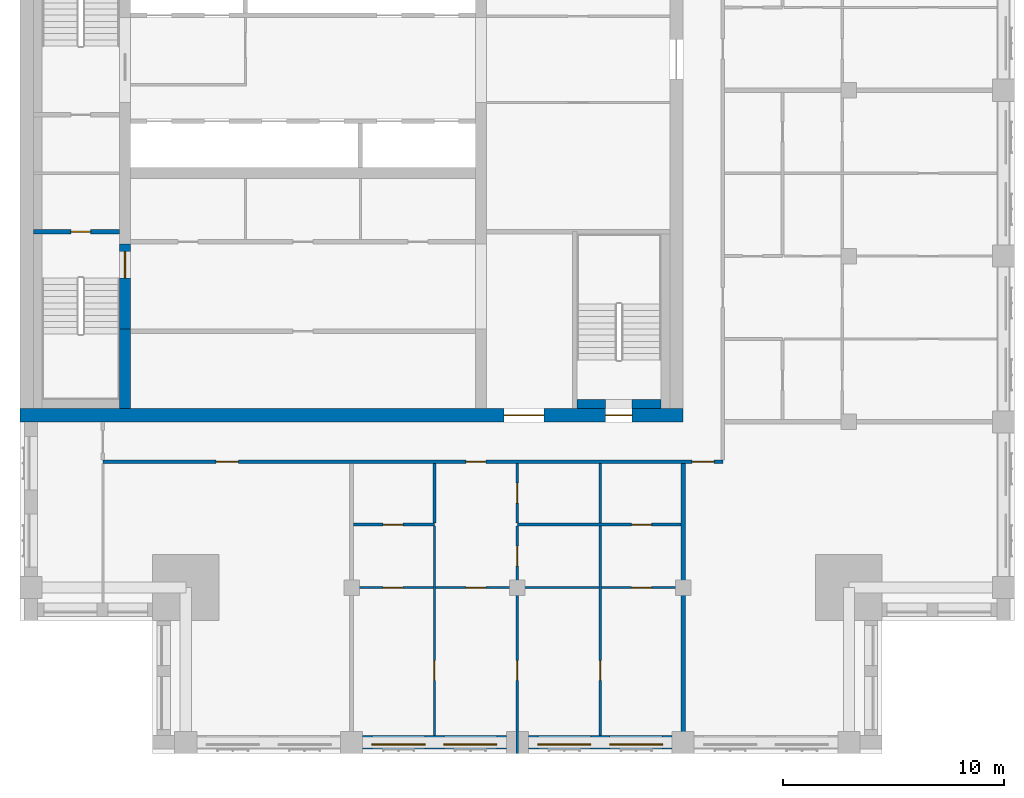
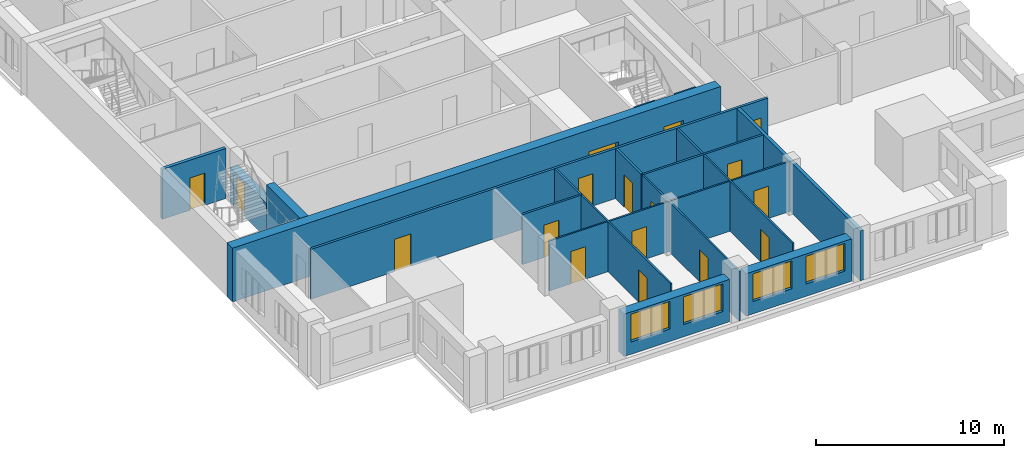
# One storey, part 3 of 10: 19 walls, 17 doors, 4 windows, 21 openings.
"""IFC4 building model written with IfcOpenShell, lengths in metres."""

from ifc_helpers import new_model, si_unit, direction, frame, frame_2d, origin, place, context, subcontext, project, spatial, rectangle, extrude, material, layer, layer_set, type_object, element, fill, save


model = new_model("IFC4")

# Units and contexts
model_context = context("Model", 3, precision=1e-05, world=origin(), true_north=direction((0.0, 1.0)))
body_context = subcontext(model_context, "Body", "Model", "MODEL_VIEW")
ifc_project = project(units=[si_unit("LENGTHUNIT", "METRE"), si_unit("AREAUNIT", "SQUARE_METRE"), si_unit("VOLUMEUNIT", "CUBIC_METRE"), si_unit("PLANEANGLEUNIT", "RADIAN"), si_unit("MASSUNIT", "GRAM", prefix="KILO")], contexts=[model_context])

# Site, building, storey
site_placement = place(None, origin())
site = spatial("IfcSite", under=ifc_project, at=site_placement, CompositionType="ELEMENT")
building_placement = place(site_placement, origin())
building = spatial("IfcBuilding", under=site, at=building_placement, Name="Tamorin Gate", CompositionType="ELEMENT")
storey_placement = place(building_placement, frame((0.0, 0.0, 273.199951171875)))
storey = spatial("IfcBuildingStorey", under=building, at=storey_placement, Name="L68", CompositionType="ELEMENT", Elevation=273.199951171875)

# Wall, openings, windows
ifc_material_1 = material(Name="Precast concrete C40/50", Category="concrete")
ifc_layer_1 = layer(ifc_material_1, 0.60009765625)
ifc_layer_set_1 = layer_set([ifc_layer_1], Name="Precast concrete C40/50")
wall_type_1 = type_object("IfcWallType", Name="Board-marked concrete facade panel 600", PredefinedType="SOLIDWALL", material=ifc_layer_set_1)
wall_1_placement = place(storey_placement, frame((45.5, 45.5, 0.0), z_axis=(0.0, 0.0, 1.0), x_axis=(1.0, 0.0, 0.0)))
wall_1 = element("IfcWall", 1, at=wall_1_placement, inside=storey, type_object=wall_type_1, Name="Facade panel", PredefinedType="SOLIDWALL", context=body_context, shape_type="SweptSolid", body=[
    extrude(rectangle(XDim=6.5, YDim=0.60009765625, at=frame_2d((3.25, 0.0))), origin(), (0.0, 0.0, 1.0), 2.75),
])
opening_1_placement = place(wall_1_placement, frame((0.425048828125, 0.0, 0.800048828125)))
opening_1 = element("IfcOpeningElement", 2, at=opening_1_placement, cuts=wall_1, Name="Opening WN1", PredefinedType="OPENING", context=body_context, shape_type="SweptSolid", body=[
    extrude(rectangle(XDim=2.39990234375, YDim=1.800048828125, at=frame_2d((1.199951171875, 0.89990234375))), frame((0.0, 0.31005859375, 0.0), z_axis=(0.0, -1.0, 0.0), x_axis=(1.0, 0.0, 0.0)), (0.0, 0.0, 1.0), 0.6201171875),
])
opening_2_placement = place(wall_1_placement, frame((3.675048828125, 0.0, 0.800048828125)))
opening_2 = element("IfcOpeningElement", 3, at=opening_2_placement, cuts=wall_1, Name="Opening WN1", PredefinedType="OPENING", context=body_context, shape_type="SweptSolid", body=[
    extrude(rectangle(XDim=2.39990234375, YDim=1.800048828125, at=frame_2d((1.199951171875, 0.89990234375))), frame((0.0, 0.31005859375, 0.0), z_axis=(0.0, -1.0, 0.0), x_axis=(1.0, 0.0, 0.0)), (0.0, 0.0, 1.0), 0.6201171875),
])
ifc_material_2 = material(Name="Clear glass in aluminium frame", Category="aluminium")
window_type = type_object("IfcWindowType", Name="Deep-set window 2400x1800", PartitioningType="SINGLE_PANEL", PredefinedType="WINDOW", material=ifc_material_2)
window_1_placement = place(opening_1_placement, origin())
window_1 = element("IfcWindow", 4, at=window_1_placement, inside=storey, type_object=window_type, Name="Deep-set window", OverallHeight=1.800048828125, OverallWidth=2.39990234375, PartitioningType="SINGLE_PANEL", PredefinedType="WINDOW", context=body_context, shape_type="SweptSolid", body=[
    extrude(rectangle(XDim=2.39990234375, YDim=1.800048828125, at=frame_2d((1.199951171875, 0.89990234375))), frame((0.0, -0.070068359375, 0.0), z_axis=(0.0, -1.0, 0.0), x_axis=(1.0, 0.0, 0.0)), (0.0, 0.0, 1.0), 0.06005859375),
])
fill(opening_1, window_1)
window_2_placement = place(opening_2_placement, origin())
window_2 = element("IfcWindow", 5, at=window_2_placement, inside=storey, type_object=window_type, Name="Deep-set window", OverallHeight=1.800048828125, OverallWidth=2.39990234375, PartitioningType="SINGLE_PANEL", PredefinedType="WINDOW", context=body_context, shape_type="SweptSolid", body=[
    extrude(rectangle(XDim=2.39990234375, YDim=1.800048828125, at=frame_2d((1.199951171875, 0.89990234375))), frame((0.0, -0.070068359375, 0.0), z_axis=(0.0, -1.0, 0.0), x_axis=(1.0, 0.0, 0.0)), (0.0, 0.0, 1.0), 0.06005859375),
])
fill(opening_2, window_2)

wall_2_placement = place(storey_placement, frame((53.0, 45.5, 0.0), z_axis=(0.0, 0.0, 1.0), x_axis=(1.0, 0.0, 0.0)))
wall_2 = element("IfcWall", 6, at=wall_2_placement, inside=storey, type_object=wall_type_1, Name="Facade panel", PredefinedType="SOLIDWALL", context=body_context, shape_type="SweptSolid", body=[
    extrude(rectangle(XDim=6.5, YDim=0.60009765625, at=frame_2d((3.25, 0.0))), origin(), (0.0, 0.0, 1.0), 2.75),
])
opening_3_placement = place(wall_2_placement, frame((0.425048828125, 0.0, 0.800048828125)))
opening_3 = element("IfcOpeningElement", 7, at=opening_3_placement, cuts=wall_2, Name="Opening WN1", PredefinedType="OPENING", context=body_context, shape_type="SweptSolid", body=[
    extrude(rectangle(XDim=2.39990234375, YDim=1.800048828125, at=frame_2d((1.199951171875, 0.89990234375))), frame((0.0, 0.31005859375, 0.0), z_axis=(0.0, -1.0, 0.0), x_axis=(1.0, 0.0, 0.0)), (0.0, 0.0, 1.0), 0.6201171875),
])
opening_4_placement = place(wall_2_placement, frame((3.675048828125, 0.0, 0.800048828125)))
opening_4 = element("IfcOpeningElement", 8, at=opening_4_placement, cuts=wall_2, Name="Opening WN1", PredefinedType="OPENING", context=body_context, shape_type="SweptSolid", body=[
    extrude(rectangle(XDim=2.39990234375, YDim=1.800048828125, at=frame_2d((1.199951171875, 0.89990234375))), frame((0.0, 0.31005859375, 0.0), z_axis=(0.0, -1.0, 0.0), x_axis=(1.0, 0.0, 0.0)), (0.0, 0.0, 1.0), 0.6201171875),
])
window_3_placement = place(opening_3_placement, origin())
window_3 = element("IfcWindow", 9, at=window_3_placement, inside=storey, type_object=window_type, Name="Deep-set window", OverallHeight=1.800048828125, OverallWidth=2.39990234375, PartitioningType="SINGLE_PANEL", PredefinedType="WINDOW", context=body_context, shape_type="SweptSolid", body=[
    extrude(rectangle(XDim=2.39990234375, YDim=1.800048828125, at=frame_2d((1.199951171875, 0.89990234375))), frame((0.0, -0.070068359375, 0.0), z_axis=(0.0, -1.0, 0.0), x_axis=(1.0, 0.0, 0.0)), (0.0, 0.0, 1.0), 0.06005859375),
])
fill(opening_3, window_3)
window_4_placement = place(opening_4_placement, origin())
window_4 = element("IfcWindow", 10, at=window_4_placement, inside=storey, type_object=window_type, Name="Deep-set window", OverallHeight=1.800048828125, OverallWidth=2.39990234375, PartitioningType="SINGLE_PANEL", PredefinedType="WINDOW", context=body_context, shape_type="SweptSolid", body=[
    extrude(rectangle(XDim=2.39990234375, YDim=1.800048828125, at=frame_2d((1.199951171875, 0.89990234375))), frame((0.0, -0.070068359375, 0.0), z_axis=(0.0, -1.0, 0.0), x_axis=(1.0, 0.0, 0.0)), (0.0, 0.0, 1.0), 0.06005859375),
])
fill(opening_4, window_4)

# Wall, openings, doors
ifc_material_3 = material(Name="Gypsum board partition")
ifc_layer_2 = layer(ifc_material_3, 0.14990234375)
ifc_layer_set_2 = layer_set([ifc_layer_2], Name="Corridor wall 150")
wall_type_2 = type_object("IfcWallType", Name="Corridor wall 150", PredefinedType="PARTITIONING", material=ifc_layer_set_2)
wall_3_placement = place(storey_placement, frame((33.75, 58.199951171875, 0.0), z_axis=(0.0, 0.0, 1.0), x_axis=(1.0, 0.0, 0.0)))
wall_3 = element("IfcWall", 11, at=wall_3_placement, inside=storey, type_object=wall_type_2, Name="Corridor wall 150", PredefinedType="PARTITIONING", context=body_context, shape_type="SweptSolid", body=[
    extrude(rectangle(XDim=28.050048828125, YDim=0.14990234375, at=frame_2d((14.02490234375, 0.0))), origin(), (0.0, 0.0, 1.0), 3.25),
])
opening_5_placement = place(wall_3_placement, frame((5.125, 0.0, 0.0)))
opening_5 = element("IfcOpeningElement", 12, at=opening_5_placement, cuts=wall_3, Name="Opening DR10002", PredefinedType="OPENING", context=body_context, shape_type="SweptSolid", body=[
    extrude(rectangle(XDim=1.0, YDim=2.10009765625, at=frame_2d((0.5, 1.050048828125))), frame((0.0, 0.0849609375, 0.0), z_axis=(0.0, -1.0, 0.0), x_axis=(1.0, 0.0, 0.0)), (0.0, 0.0, 1.0), 0.169921875),
])
opening_6_placement = place(wall_3_placement, frame((16.425048828125, 0.0, 0.0)))
opening_6 = element("IfcOpeningElement", 13, at=opening_6_placement, cuts=wall_3, Name="Opening DR10005", PredefinedType="OPENING", context=body_context, shape_type="SweptSolid", body=[
    extrude(rectangle(XDim=0.89990234375, YDim=2.10009765625, at=frame_2d((0.449951171875, 1.050048828125))), frame((0.0, 0.0849609375, 0.0), z_axis=(0.0, -1.0, 0.0), x_axis=(1.0, 0.0, 0.0)), (0.0, 0.0, 1.0), 0.169921875),
])
opening_7_placement = place(wall_3_placement, frame((26.64990234375, 0.0, 0.0)))
opening_7 = element("IfcOpeningElement", 14, at=opening_7_placement, cuts=wall_3, Name="Opening DR10014", PredefinedType="OPENING", context=body_context, shape_type="SweptSolid", body=[
    extrude(rectangle(XDim=1.0, YDim=2.10009765625, at=frame_2d((0.5, 1.050048828125))), frame((0.0, 0.0849609375, 0.0), z_axis=(0.0, -1.0, 0.0), x_axis=(1.0, 0.0, 0.0)), (0.0, 0.0, 1.0), 0.169921875),
])
ifc_material_4 = material(Name="Timber door leaf", Category="wood")
door_type_1 = type_object("IfcDoorType", Name="Door 1000 x 2100 FD30S", OperationType="NOTDEFINED", PredefinedType="DOOR", material=ifc_material_4)
door_1_placement = place(opening_5_placement, origin())
door_1 = element("IfcDoor", 15, at=door_1_placement, inside=storey, type_object=door_type_1, Name="Door DR10002", OperationType="SINGLE_SWING_RIGHT", OverallHeight=2.10009765625, OverallWidth=1.0, PredefinedType="DOOR", context=body_context, shape_type="SweptSolid", body=[
    extrude(rectangle(XDim=1.0, YDim=2.10009765625, at=frame_2d((0.5, 1.050048828125))), frame((0.0, 0.02490234375, 0.0), z_axis=(0.0, -1.0, 0.0), x_axis=(1.0, 0.0, 0.0)), (0.0, 0.0, 1.0), 0.050048828125),
])
fill(opening_5, door_1)
door_2_placement = place(opening_7_placement, origin())
door_2 = element("IfcDoor", 16, at=door_2_placement, inside=storey, type_object=door_type_1, Name="Door DR10014", OperationType="SINGLE_SWING_RIGHT", OverallHeight=2.10009765625, OverallWidth=1.0, PredefinedType="DOOR", context=body_context, shape_type="SweptSolid", body=[
    extrude(rectangle(XDim=1.0, YDim=2.10009765625, at=frame_2d((0.5, 1.050048828125))), frame((0.0, 0.02490234375, 0.0), z_axis=(0.0, -1.0, 0.0), x_axis=(1.0, 0.0, 0.0)), (0.0, 0.0, 1.0), 0.050048828125),
])
fill(opening_7, door_2)
door_type_2 = type_object("IfcDoorType", Name="Door 900 x 2100 FD30S", OperationType="NOTDEFINED", PredefinedType="DOOR", material=ifc_material_4)
door_3_placement = place(opening_6_placement, origin())
door_3 = element("IfcDoor", 17, at=door_3_placement, inside=storey, type_object=door_type_2, Name="Door DR10005", OperationType="SINGLE_SWING_RIGHT", OverallHeight=2.10009765625, OverallWidth=0.89990234375, PredefinedType="DOOR", context=body_context, shape_type="SweptSolid", body=[
    extrude(rectangle(XDim=0.89990234375, YDim=2.10009765625, at=frame_2d((0.449951171875, 1.050048828125))), frame((0.0, 0.02490234375, 0.0), z_axis=(0.0, -1.0, 0.0), x_axis=(1.0, 0.0, 0.0)), (0.0, 0.0, 1.0), 0.050048828125),
])
fill(opening_6, door_3)

# Walls
ifc_layer_3 = layer(ifc_material_3, 0.199951171875)
ifc_layer_set_3 = layer_set([ifc_layer_3], Name="Demising wall 200")
wall_type_3 = type_object("IfcWallType", Name="Demising wall 200", PredefinedType="PARTITIONING", material=ifc_layer_set_3)
wall_4_placement = place(storey_placement, frame((60.0, 45.0, 0.0), z_axis=(0.0, 0.0, 1.0), x_axis=(0.0, 1.0, 0.0)))
element("IfcWall", 18, at=wall_4_placement, inside=storey, type_object=wall_type_3, Name="Demising wall 200", PredefinedType="PARTITIONING", context=body_context, shape_type="SweptSolid", body=[
    extrude(rectangle(XDim=13.125, YDim=0.199951171875, at=frame_2d((6.5625, 0.0))), origin(), (0.0, 0.0, 1.0), 3.25),
])
ifc_material_5 = material(Name="Concrete C50/60", Category="concrete")
ifc_layer_4 = layer(ifc_material_5, 0.5)
ifc_layer_set_4 = layer_set([ifc_layer_4], Name="RC core internal wall 500 C50/60")
wall_type_4 = type_object("IfcWallType", Name="RC core internal wall 500 C50/60", PredefinedType="SHEAR", material=ifc_layer_set_4)
wall_5_placement = place(storey_placement, frame((34.75, 60.60009765625, 0.0), z_axis=(0.0, 0.0, 1.0), x_axis=(0.0, 1.0, 0.0)))
element("IfcWall", 19, at=wall_5_placement, inside=storey, type_object=wall_type_4, Name="Core cross wall L68", PredefinedType="SHEAR", context=body_context, shape_type="SweptSolid", body=[
    extrude(rectangle(XDim=3.599853515625, YDim=0.5, at=frame_2d((1.7998046875, 0.0))), origin(), (0.0, 0.0, 1.0), 3.5),
])

# Wall, openings, doors
ifc_layer_5 = layer(ifc_material_5, 0.60009765625)
ifc_layer_set_5 = layer_set([ifc_layer_5], Name="RC core wall 600 C50/60")
wall_type_5 = type_object("IfcWallType", Name="RC core wall 600 C50/60", PredefinedType="SHEAR", material=ifc_layer_set_5)
wall_6_placement = place(storey_placement, frame((30.0, 60.300048828125, 0.0), z_axis=(0.0, 0.0, 1.0), x_axis=(1.0, 0.0, 0.0)))
wall_6 = element("IfcWall", 20, at=wall_6_placement, inside=storey, type_object=wall_type_5, Name="Core wall L68", PredefinedType="SHEAR", context=body_context, shape_type="SweptSolid", body=[
    extrude(rectangle(XDim=30.0, YDim=0.60009765625, at=frame_2d((15.0, 0.0))), origin(), (0.0, 0.0, 1.0), 3.5),
])
opening_8_placement = place(wall_6_placement, frame((21.89990234375, 0.0, 0.0)))
opening_8 = element("IfcOpeningElement", 21, at=opening_8_placement, cuts=wall_6, Name="Opening DE1", PredefinedType="OPENING", context=body_context, shape_type="SweptSolid", body=[
    extrude(rectangle(XDim=1.800048828125, YDim=2.10009765625, at=frame_2d((0.89990234375, 1.050048828125))), frame((0.0, 0.31005859375, 0.0), z_axis=(0.0, -1.0, 0.0), x_axis=(1.0, 0.0, 0.0)), (0.0, 0.0, 1.0), 0.6201171875),
])
opening_9_placement = place(wall_6_placement, frame((26.5, 0.0, 0.0)))
opening_9 = element("IfcOpeningElement", 22, at=opening_9_placement, cuts=wall_6, Name="Opening DS1", PredefinedType="OPENING", context=body_context, shape_type="SweptSolid", body=[
    extrude(rectangle(XDim=1.199951171875, YDim=2.10009765625, at=frame_2d((0.60009765625, 1.050048828125))), frame((0.0, 0.31005859375, 0.0), z_axis=(0.0, -1.0, 0.0), x_axis=(1.0, 0.0, 0.0)), (0.0, 0.0, 1.0), 0.6201171875),
])
ifc_material_6 = material(Name="Steel fire door", Category="steel")
door_type_3 = type_object("IfcDoorType", Name="Lobby exit double door 1800 x 2100 EI 60", OperationType="DOUBLE_DOOR_SINGLE_SWING", PredefinedType="DOOR", material=ifc_material_6)
door_4_placement = place(opening_8_placement, origin())
door_4 = element("IfcDoor", 23, at=door_4_placement, inside=storey, type_object=door_type_3, Name="Lift lobby A exit door", OperationType="DOUBLE_DOOR_SINGLE_SWING", OverallHeight=2.10009765625, OverallWidth=1.800048828125, PredefinedType="DOOR", context=body_context, shape_type="SweptSolid", body=[
    extrude(rectangle(XDim=1.800048828125, YDim=2.10009765625, at=frame_2d((0.89990234375, 1.050048828125))), frame((0.0, 0.02490234375, 0.0), z_axis=(0.0, -1.0, 0.0), x_axis=(1.0, 0.0, 0.0)), (0.0, 0.0, 1.0), 0.050048828125),
])
fill(opening_8, door_4)
door_type_4 = type_object("IfcDoorType", Name="Stair door 1200 x 2100 EI 90", OperationType="SINGLE_SWING_LEFT", PredefinedType="DOOR", material=ifc_material_6)
door_5_placement = place(opening_9_placement, origin())
door_5 = element("IfcDoor", 24, at=door_5_placement, inside=storey, type_object=door_type_4, Name="ST3 door", OperationType="SINGLE_SWING_LEFT", OverallHeight=2.10009765625, OverallWidth=1.199951171875, PredefinedType="DOOR", context=body_context, shape_type="SweptSolid", body=[
    extrude(rectangle(XDim=1.199951171875, YDim=2.10009765625, at=frame_2d((0.60009765625, 1.050048828125))), frame((0.0, 0.02490234375, 0.0), z_axis=(0.0, -1.0, 0.0), x_axis=(1.0, 0.0, 0.0)), (0.0, 0.0, 1.0), 0.050048828125),
])
fill(opening_9, door_5)

ifc_layer_6 = layer(ifc_material_3, 0.10009765625)
ifc_layer_set_6 = layer_set([ifc_layer_6], Name="Room partition 100")
wall_type_6 = type_object("IfcWallType", Name="Room partition 100", PredefinedType="PARTITIONING", material=ifc_layer_set_6)
wall_7_placement = place(storey_placement, frame((45.10009765625, 52.5, 0.0), z_axis=(0.0, 0.0, 1.0), x_axis=(1.0, 0.0, 0.0)))
wall_7 = element("IfcWall", 25, at=wall_7_placement, inside=storey, type_object=wall_type_6, Name="Room partition 100", PredefinedType="PARTITIONING", context=body_context, shape_type="SweptSolid", body=[
    extrude(rectangle(XDim=14.7998046875, YDim=0.10009765625, at=frame_2d((7.39990234375, 0.0))), origin(), (0.0, 0.0, 1.0), 3.25),
])
opening_10_placement = place(wall_7_placement, frame((1.324951171875, 0.0, 0.0)))
opening_10 = element("IfcOpeningElement", 26, at=opening_10_placement, cuts=wall_7, Name="Opening DR10003", PredefinedType="OPENING", context=body_context, shape_type="SweptSolid", body=[
    extrude(rectangle(XDim=0.89990234375, YDim=2.10009765625, at=frame_2d((0.449951171875, 1.050048828125))), frame((0.0, 0.06005859375, 0.0), z_axis=(0.0, -1.0, 0.0), x_axis=(1.0, 0.0, 0.0)), (0.0, 0.0, 1.0), 0.1201171875),
])
opening_11_placement = place(wall_7_placement, frame((5.074951171875, 0.0, 0.0)))
opening_11 = element("IfcOpeningElement", 27, at=opening_11_placement, cuts=wall_7, Name="Opening DR10006", PredefinedType="OPENING", context=body_context, shape_type="SweptSolid", body=[
    extrude(rectangle(XDim=0.89990234375, YDim=2.10009765625, at=frame_2d((0.449951171875, 1.050048828125))), frame((0.0, 0.06005859375, 0.0), z_axis=(0.0, -1.0, 0.0), x_axis=(1.0, 0.0, 0.0)), (0.0, 0.0, 1.0), 0.1201171875),
])
opening_12_placement = place(wall_7_placement, frame((12.574951171875, 0.0, 0.0)))
opening_12 = element("IfcOpeningElement", 28, at=opening_12_placement, cuts=wall_7, Name="Opening DR10009", PredefinedType="OPENING", context=body_context, shape_type="SweptSolid", body=[
    extrude(rectangle(XDim=0.89990234375, YDim=2.10009765625, at=frame_2d((0.449951171875, 1.050048828125))), frame((0.0, 0.06005859375, 0.0), z_axis=(0.0, -1.0, 0.0), x_axis=(1.0, 0.0, 0.0)), (0.0, 0.0, 1.0), 0.1201171875),
])
door_type_5 = type_object("IfcDoorType", Name="Door 900 x 2100", OperationType="NOTDEFINED", PredefinedType="DOOR", material=ifc_material_4)
door_6_placement = place(opening_10_placement, origin())
door_6 = element("IfcDoor", 29, at=door_6_placement, inside=storey, type_object=door_type_5, Name="Door DR10003", OperationType="SINGLE_SWING_LEFT", OverallHeight=2.10009765625, OverallWidth=0.89990234375, PredefinedType="DOOR", context=body_context, shape_type="SweptSolid", body=[
    extrude(rectangle(XDim=0.89990234375, YDim=2.10009765625, at=frame_2d((0.449951171875, 1.050048828125))), frame((0.0, 0.02490234375, 0.0), z_axis=(0.0, -1.0, 0.0), x_axis=(1.0, 0.0, 0.0)), (0.0, 0.0, 1.0), 0.050048828125),
])
fill(opening_10, door_6)
door_7_placement = place(opening_11_placement, origin())
door_7 = element("IfcDoor", 30, at=door_7_placement, inside=storey, type_object=door_type_5, Name="Door DR10006", OperationType="SINGLE_SWING_LEFT", OverallHeight=2.10009765625, OverallWidth=0.89990234375, PredefinedType="DOOR", context=body_context, shape_type="SweptSolid", body=[
    extrude(rectangle(XDim=0.89990234375, YDim=2.10009765625, at=frame_2d((0.449951171875, 1.050048828125))), frame((0.0, 0.02490234375, 0.0), z_axis=(0.0, -1.0, 0.0), x_axis=(1.0, 0.0, 0.0)), (0.0, 0.0, 1.0), 0.050048828125),
])
fill(opening_11, door_7)
door_8_placement = place(opening_12_placement, origin())
door_8 = element("IfcDoor", 31, at=door_8_placement, inside=storey, type_object=door_type_5, Name="Door DR10009", OperationType="SINGLE_SWING_LEFT", OverallHeight=2.10009765625, OverallWidth=0.89990234375, PredefinedType="DOOR", context=body_context, shape_type="SweptSolid", body=[
    extrude(rectangle(XDim=0.89990234375, YDim=2.10009765625, at=frame_2d((0.449951171875, 1.050048828125))), frame((0.0, 0.02490234375, 0.0), z_axis=(0.0, -1.0, 0.0), x_axis=(1.0, 0.0, 0.0)), (0.0, 0.0, 1.0), 0.050048828125),
])
fill(opening_12, door_8)

# Wall, opening, door
wall_8_placement = place(storey_placement, frame((48.75, 45.81005859375, 0.0), z_axis=(0.0, 0.0, 1.0), x_axis=(0.0, 1.0, 0.0)))
wall_8 = element("IfcWall", 32, at=wall_8_placement, inside=storey, type_object=wall_type_6, Name="Room partition 100", PredefinedType="PARTITIONING", context=body_context, shape_type="SweptSolid", body=[
    extrude(rectangle(XDim=9.4775390625, YDim=0.10009765625, at=frame_2d((4.73876953125, 0.0))), origin(), (0.0, 0.0, 1.0), 3.25),
])
opening_13_placement = place(wall_8_placement, frame((2.489990234375, 0.0, 0.0)))
opening_13 = element("IfcOpeningElement", 33, at=opening_13_placement, cuts=wall_8, Name="Opening DR10011", PredefinedType="OPENING", context=body_context, shape_type="SweptSolid", body=[
    extrude(rectangle(XDim=0.89990234375, YDim=2.10009765625, at=frame_2d((0.449951171875, 1.050048828125))), frame((0.0, 0.06005859375, 0.0), z_axis=(0.0, -1.0, 0.0), x_axis=(1.0, 0.0, 0.0)), (0.0, 0.0, 1.0), 0.1201171875),
])
door_9_placement = place(opening_13_placement, origin())
door_9 = element("IfcDoor", 34, at=door_9_placement, inside=storey, type_object=door_type_5, Name="Door DR10011", OperationType="SINGLE_SWING_LEFT", OverallHeight=2.10009765625, OverallWidth=0.89990234375, PredefinedType="DOOR", context=body_context, shape_type="SweptSolid", body=[
    extrude(rectangle(XDim=0.89990234375, YDim=2.10009765625, at=frame_2d((0.449951171875, 1.050048828125))), frame((0.0, 0.02490234375, 0.0), z_axis=(0.0, -1.0, 0.0), x_axis=(1.0, 0.0, 0.0)), (0.0, 0.0, 1.0), 0.050048828125),
])
fill(opening_13, door_9)

# Wall, openings, doors
wall_9_placement = place(storey_placement, frame((52.5, 45.0, 0.0), z_axis=(0.0, 0.0, 1.0), x_axis=(0.0, 1.0, 0.0)))
wall_9 = element("IfcWall", 35, at=wall_9_placement, inside=storey, type_object=wall_type_6, Name="Room partition 100", PredefinedType="PARTITIONING", context=body_context, shape_type="SweptSolid", body=[
    extrude(rectangle(XDim=10.28759765625, YDim=0.10009765625, at=frame_2d((5.143798828125, 0.0))), origin(), (0.0, 0.0, 1.0), 3.25),
])
opening_14_placement = place(wall_9_placement, frame((8.47509765625, 0.0, 0.0)))
opening_14 = element("IfcOpeningElement", 36, at=opening_14_placement, cuts=wall_9, Name="Opening DR10007", PredefinedType="OPENING", context=body_context, shape_type="SweptSolid", body=[
    extrude(rectangle(XDim=0.89990234375, YDim=2.10009765625, at=frame_2d((0.449951171875, 1.050048828125))), frame((0.0, 0.06005859375, 0.0), z_axis=(0.0, -1.0, 0.0), x_axis=(1.0, 0.0, 0.0)), (0.0, 0.0, 1.0), 0.1201171875),
])
opening_15_placement = place(wall_9_placement, frame((3.300048828125, 0.0, 0.0)))
opening_15 = element("IfcOpeningElement", 37, at=opening_15_placement, cuts=wall_9, Name="Opening DR10012", PredefinedType="OPENING", context=body_context, shape_type="SweptSolid", body=[
    extrude(rectangle(XDim=0.89990234375, YDim=2.10009765625, at=frame_2d((0.449951171875, 1.050048828125))), frame((0.0, 0.06005859375, 0.0), z_axis=(0.0, -1.0, 0.0), x_axis=(1.0, 0.0, 0.0)), (0.0, 0.0, 1.0), 0.1201171875),
])
door_10_placement = place(opening_14_placement, origin())
door_10 = element("IfcDoor", 38, at=door_10_placement, inside=storey, type_object=door_type_5, Name="Door DR10007", OperationType="SINGLE_SWING_RIGHT", OverallHeight=2.10009765625, OverallWidth=0.89990234375, PredefinedType="DOOR", context=body_context, shape_type="SweptSolid", body=[
    extrude(rectangle(XDim=0.89990234375, YDim=2.10009765625, at=frame_2d((0.449951171875, 1.050048828125))), frame((0.0, 0.02490234375, 0.0), z_axis=(0.0, -1.0, 0.0), x_axis=(1.0, 0.0, 0.0)), (0.0, 0.0, 1.0), 0.050048828125),
])
fill(opening_14, door_10)
door_11_placement = place(opening_15_placement, origin())
door_11 = element("IfcDoor", 39, at=door_11_placement, inside=storey, type_object=door_type_5, Name="Door DR10012", OperationType="SINGLE_SWING_LEFT", OverallHeight=2.10009765625, OverallWidth=0.89990234375, PredefinedType="DOOR", context=body_context, shape_type="SweptSolid", body=[
    extrude(rectangle(XDim=0.89990234375, YDim=2.10009765625, at=frame_2d((0.449951171875, 1.050048828125))), frame((0.0, 0.02490234375, 0.0), z_axis=(0.0, -1.0, 0.0), x_axis=(1.0, 0.0, 0.0)), (0.0, 0.0, 1.0), 0.050048828125),
])
fill(opening_15, door_11)

# Wall, opening, door
wall_10_placement = place(storey_placement, frame((56.25, 45.81005859375, 0.0), z_axis=(0.0, 0.0, 1.0), x_axis=(0.0, 1.0, 0.0)))
wall_10 = element("IfcWall", 40, at=wall_10_placement, inside=storey, type_object=wall_type_6, Name="Room partition 100", PredefinedType="PARTITIONING", context=body_context, shape_type="SweptSolid", body=[
    extrude(rectangle(XDim=9.4775390625, YDim=0.10009765625, at=frame_2d((4.73876953125, 0.0))), origin(), (0.0, 0.0, 1.0), 3.25),
])
opening_16_placement = place(wall_10_placement, frame((2.489990234375, 0.0, 0.0)))
opening_16 = element("IfcOpeningElement", 41, at=opening_16_placement, cuts=wall_10, Name="Opening DR10013", PredefinedType="OPENING", context=body_context, shape_type="SweptSolid", body=[
    extrude(rectangle(XDim=0.89990234375, YDim=2.10009765625, at=frame_2d((0.449951171875, 1.050048828125))), frame((0.0, 0.06005859375, 0.0), z_axis=(0.0, -1.0, 0.0), x_axis=(1.0, 0.0, 0.0)), (0.0, 0.0, 1.0), 0.1201171875),
])
door_12_placement = place(opening_16_placement, origin())
door_12 = element("IfcDoor", 42, at=door_12_placement, inside=storey, type_object=door_type_5, Name="Door DR10013", OperationType="SINGLE_SWING_LEFT", OverallHeight=2.10009765625, OverallWidth=0.89990234375, PredefinedType="DOOR", context=body_context, shape_type="SweptSolid", body=[
    extrude(rectangle(XDim=0.89990234375, YDim=2.10009765625, at=frame_2d((0.449951171875, 1.050048828125))), frame((0.0, 0.02490234375, 0.0), z_axis=(0.0, -1.0, 0.0), x_axis=(1.0, 0.0, 0.0)), (0.0, 0.0, 1.0), 0.050048828125),
])
fill(opening_16, door_12)

ifc_material_7 = material(Name="Concrete C40/50", Category="concrete")
ifc_layer_7 = layer(ifc_material_7, 0.199951171875)
ifc_layer_set_7 = layer_set([ifc_layer_7], Name="Stair enclosure wall 200 EI 120 C40/50")
wall_type_7 = type_object("IfcWallType", Name="Stair enclosure wall 200 EI 120 C40/50", PredefinedType="SOLIDWALL", material=ifc_layer_set_7)
wall_11_placement = place(storey_placement, frame((30.60009765625, 68.60009765625, 0.0), z_axis=(0.0, 0.0, 1.0), x_axis=(1.0, 0.0, 0.0)))
wall_11 = element("IfcWall", 43, at=wall_11_placement, inside=storey, type_object=wall_type_7, Name="Stair enclosure wall", PredefinedType="SOLIDWALL", context=body_context, shape_type="SweptSolid", body=[
    extrude(rectangle(XDim=3.89990234375, YDim=0.199951171875, at=frame_2d((1.949951171875, 0.0))), origin(), (0.0, 0.0, 1.0), 3.25),
])
opening_17_placement = place(wall_11_placement, frame((1.699951171875, 0.0, 0.0)))
opening_17 = element("IfcOpeningElement", 44, at=opening_17_placement, cuts=wall_11, Name="Opening DR1", PredefinedType="OPENING", context=body_context, shape_type="SweptSolid", body=[
    extrude(rectangle(XDim=0.89990234375, YDim=2.10009765625, at=frame_2d((0.449951171875, 1.050048828125))), frame((0.0, 0.10986328125, 0.0), z_axis=(0.0, -1.0, 0.0), x_axis=(1.0, 0.0, 0.0)), (0.0, 0.0, 1.0), 0.219970703125),
])
door_type_6 = type_object("IfcDoorType", Name="Riser access door 900 x 2100 EI 120", OperationType="SINGLE_SWING_LEFT", PredefinedType="DOOR", material=ifc_material_6)
door_13_placement = place(opening_17_placement, origin())
door_13 = element("IfcDoor", 45, at=door_13_placement, inside=storey, type_object=door_type_6, Name="Electrical riser door", OperationType="SINGLE_SWING_LEFT", OverallHeight=2.10009765625, OverallWidth=0.89990234375, PredefinedType="DOOR", context=body_context, shape_type="SweptSolid", body=[
    extrude(rectangle(XDim=0.89990234375, YDim=2.10009765625, at=frame_2d((0.449951171875, 1.050048828125))), frame((0.0, 0.02490234375, 0.0), z_axis=(0.0, -1.0, 0.0), x_axis=(1.0, 0.0, 0.0)), (0.0, 0.0, 1.0), 0.050048828125),
])
fill(opening_17, door_13)

# Walls
ifc_layer_8 = layer(ifc_material_5, 0.39990234375)
ifc_layer_set_8 = layer_set([ifc_layer_8], Name="Stair lining wall 400 EI 120 C50/60")
wall_type_8 = type_object("IfcWallType", Name="Stair lining wall 400 EI 120 C50/60", PredefinedType="SOLIDWALL", material=ifc_layer_set_8)
for number, where, z_axis, x_axis, name in (
    (46, (55.199951171875, 60.800048828125, 0.0), (0.0, 0.0, 1.0), (1.0, 0.0, 0.0), "Stair lining wall"),
    (47, (57.699951171875, 60.800048828125, 0.0), (0.0, 0.0, 1.0), (1.0, 0.0, 0.0), "Stair lining wall"),
):
    element("IfcWall", number, at=place(storey_placement, frame(where, z_axis=z_axis, x_axis=x_axis)), inside=storey, type_object=wall_type_8, Name=name, PredefinedType="SOLIDWALL", context=body_context, shape_type="SweptSolid", body=[
        extrude(rectangle(XDim=1.300048828125, YDim=0.39990234375, at=frame_2d((0.64990234375, 0.0))), origin(), (0.0, 0.0, 1.0), 3.25),
    ])

# Wall, opening, door
ifc_material_8 = material(Name="Concrete C32/40", Category="concrete")
ifc_layer_9 = layer(ifc_material_8, 0.5)
ifc_layer_set_9 = layer_set([ifc_layer_9], Name="Stair lobby infill wall 500 EI 120")
wall_type_9 = type_object("IfcWallType", Name="Stair lobby infill wall 500 EI 120", PredefinedType="SOLIDWALL", material=ifc_layer_set_9)
wall_12_placement = place(storey_placement, frame((34.75, 64.199951171875, 0.0), z_axis=(0.0, 0.0, 1.0), x_axis=(0.0, 1.0, 0.0)))
wall_12 = element("IfcWall", 48, at=wall_12_placement, inside=storey, type_object=wall_type_9, Name="Stair lobby infill wall", PredefinedType="SOLIDWALL", context=body_context, shape_type="SweptSolid", body=[
    extrude(rectangle(XDim=3.85009765625, YDim=0.5, at=frame_2d((1.925048828125, 0.0))), origin(), (0.0, 0.0, 1.0), 2.300048828125),
])
opening_18_placement = place(wall_12_placement, frame((2.300048828125, 0.0, 0.0)))
opening_18 = element("IfcOpeningElement", 49, at=opening_18_placement, cuts=wall_12, Name="Opening DS1", PredefinedType="OPENING", context=body_context, shape_type="SweptSolid", body=[
    extrude(rectangle(XDim=1.199951171875, YDim=2.10009765625, at=frame_2d((0.60009765625, 1.050048828125))), frame((0.0, 0.260009765625, 0.0), z_axis=(0.0, -1.0, 0.0), x_axis=(1.0, 0.0, 0.0)), (0.0, 0.0, 1.0), 0.52001953125),
])
door_14_placement = place(opening_18_placement, origin())
door_14 = element("IfcDoor", 50, at=door_14_placement, inside=storey, type_object=door_type_4, Name="ST1 door", OperationType="SINGLE_SWING_LEFT", OverallHeight=2.10009765625, OverallWidth=1.199951171875, PredefinedType="DOOR", context=body_context, shape_type="SweptSolid", body=[
    extrude(rectangle(XDim=1.199951171875, YDim=2.10009765625, at=frame_2d((0.60009765625, 1.050048828125))), frame((0.0, 0.02490234375, 0.0), z_axis=(0.0, -1.0, 0.0), x_axis=(1.0, 0.0, 0.0)), (0.0, 0.0, 1.0), 0.050048828125),
])
fill(opening_18, door_14)

ifc_layer_10 = layer(ifc_material_3, 0.125)
ifc_layer_set_10 = layer_set([ifc_layer_10], Name="Wet wall 125")
wall_type_10 = type_object("IfcWallType", Name="Wet wall 125", PredefinedType="PARTITIONING", material=ifc_layer_set_10)
wall_13_placement = place(storey_placement, frame((45.10009765625, 55.35009765625, 0.0), z_axis=(0.0, 0.0, 1.0), x_axis=(1.0, 0.0, 0.0)))
wall_13 = element("IfcWall", 51, at=wall_13_placement, inside=storey, type_object=wall_type_10, Name="Wet wall 125", PredefinedType="PARTITIONING", context=body_context, shape_type="SweptSolid", body=[
    extrude(rectangle(XDim=3.64990234375, YDim=0.125, at=frame_2d((1.824951171875, 0.0))), origin(), (0.0, 0.0, 1.0), 3.25),
])
opening_19_placement = place(wall_13_placement, frame((1.324951171875, 0.0, 0.0)))
opening_19 = element("IfcOpeningElement", 52, at=opening_19_placement, cuts=wall_13, Name="Opening DR10004", PredefinedType="OPENING", context=body_context, shape_type="SweptSolid", body=[
    extrude(rectangle(XDim=0.89990234375, YDim=2.10009765625, at=frame_2d((0.449951171875, 1.050048828125))), frame((0.0, 0.072509765625, 0.0), z_axis=(0.0, -1.0, 0.0), x_axis=(1.0, 0.0, 0.0)), (0.0, 0.0, 1.0), 0.14501953125),
])
door_15_placement = place(opening_19_placement, origin())
door_15 = element("IfcDoor", 53, at=door_15_placement, inside=storey, type_object=door_type_5, Name="Door DR10004", OperationType="SINGLE_SWING_LEFT", OverallHeight=2.10009765625, OverallWidth=0.89990234375, PredefinedType="DOOR", context=body_context, shape_type="SweptSolid", body=[
    extrude(rectangle(XDim=0.89990234375, YDim=2.10009765625, at=frame_2d((0.449951171875, 1.050048828125))), frame((0.0, 0.02490234375, 0.0), z_axis=(0.0, -1.0, 0.0), x_axis=(1.0, 0.0, 0.0)), (0.0, 0.0, 1.0), 0.050048828125),
])
fill(opening_19, door_15)

wall_14_placement = place(storey_placement, frame((52.5, 55.35009765625, 0.0), z_axis=(0.0, 0.0, 1.0), x_axis=(1.0, 0.0, 0.0)))
wall_14 = element("IfcWall", 54, at=wall_14_placement, inside=storey, type_object=wall_type_10, Name="Wet wall 125", PredefinedType="PARTITIONING", context=body_context, shape_type="SweptSolid", body=[
    extrude(rectangle(XDim=7.39990234375, YDim=0.125, at=frame_2d((3.699951171875, 0.0))), origin(), (0.0, 0.0, 1.0), 3.25),
])
opening_20_placement = place(wall_14_placement, frame((5.175048828125, 0.0, 0.0)))
opening_20 = element("IfcOpeningElement", 55, at=opening_20_placement, cuts=wall_14, Name="Opening DR10010", PredefinedType="OPENING", context=body_context, shape_type="SweptSolid", body=[
    extrude(rectangle(XDim=0.89990234375, YDim=2.10009765625, at=frame_2d((0.449951171875, 1.050048828125))), frame((0.0, 0.072509765625, 0.0), z_axis=(0.0, -1.0, 0.0), x_axis=(1.0, 0.0, 0.0)), (0.0, 0.0, 1.0), 0.14501953125),
])
door_16_placement = place(opening_20_placement, origin())
door_16 = element("IfcDoor", 56, at=door_16_placement, inside=storey, type_object=door_type_5, Name="Door DR10010", OperationType="SINGLE_SWING_LEFT", OverallHeight=2.10009765625, OverallWidth=0.89990234375, PredefinedType="DOOR", context=body_context, shape_type="SweptSolid", body=[
    extrude(rectangle(XDim=0.89990234375, YDim=2.10009765625, at=frame_2d((0.449951171875, 1.050048828125))), frame((0.0, 0.02490234375, 0.0), z_axis=(0.0, -1.0, 0.0), x_axis=(1.0, 0.0, 0.0)), (0.0, 0.0, 1.0), 0.050048828125),
])
fill(opening_20, door_16)

# Wall
wall_15_placement = place(storey_placement, frame((48.75, 55.41259765625, 0.0), z_axis=(0.0, 0.0, 1.0), x_axis=(0.0, 1.0, 0.0)))
element("IfcWall", 57, at=wall_15_placement, inside=storey, type_object=wall_type_10, Name="Wet wall 125", PredefinedType="PARTITIONING", context=body_context, shape_type="SweptSolid", body=[
    extrude(rectangle(XDim=2.71240234375, YDim=0.125, at=frame_2d((1.356201171875, 0.0))), origin(), (0.0, 0.0, 1.0), 3.25),
])

# Wall, opening, door
wall_16_placement = place(storey_placement, frame((52.5, 55.41259765625, 0.0), z_axis=(0.0, 0.0, 1.0), x_axis=(0.0, 1.0, 0.0)))
wall_16 = element("IfcWall", 58, at=wall_16_placement, inside=storey, type_object=wall_type_10, Name="Wet wall 125", PredefinedType="PARTITIONING", context=body_context, shape_type="SweptSolid", body=[
    extrude(rectangle(XDim=2.71240234375, YDim=0.125, at=frame_2d((1.356201171875, 0.0))), origin(), (0.0, 0.0, 1.0), 3.25),
])
opening_21_placement = place(wall_16_placement, frame((0.91259765625, 0.0, 0.0)))
opening_21 = element("IfcOpeningElement", 59, at=opening_21_placement, cuts=wall_16, Name="Opening DR10008", PredefinedType="OPENING", context=body_context, shape_type="SweptSolid", body=[
    extrude(rectangle(XDim=0.89990234375, YDim=2.10009765625, at=frame_2d((0.449951171875, 1.050048828125))), frame((0.0, 0.072509765625, 0.0), z_axis=(0.0, -1.0, 0.0), x_axis=(1.0, 0.0, 0.0)), (0.0, 0.0, 1.0), 0.14501953125),
])
door_17_placement = place(opening_21_placement, origin())
door_17 = element("IfcDoor", 60, at=door_17_placement, inside=storey, type_object=door_type_5, Name="Door DR10008", OperationType="SINGLE_SWING_RIGHT", OverallHeight=2.10009765625, OverallWidth=0.89990234375, PredefinedType="DOOR", context=body_context, shape_type="SweptSolid", body=[
    extrude(rectangle(XDim=0.89990234375, YDim=2.10009765625, at=frame_2d((0.449951171875, 1.050048828125))), frame((0.0, 0.02490234375, 0.0), z_axis=(0.0, -1.0, 0.0), x_axis=(1.0, 0.0, 0.0)), (0.0, 0.0, 1.0), 0.050048828125),
])
fill(opening_21, door_17)

# Wall
wall_17_placement = place(storey_placement, frame((56.25, 55.41259765625, 0.0), z_axis=(0.0, 0.0, 1.0), x_axis=(0.0, 1.0, 0.0)))
element("IfcWall", 61, at=wall_17_placement, inside=storey, type_object=wall_type_10, Name="Wet wall 125", PredefinedType="PARTITIONING", context=body_context, shape_type="SweptSolid", body=[
    extrude(rectangle(XDim=2.71240234375, YDim=0.125, at=frame_2d((1.356201171875, 0.0))), origin(), (0.0, 0.0, 1.0), 3.25),
])

save(model, "model.ifc")
